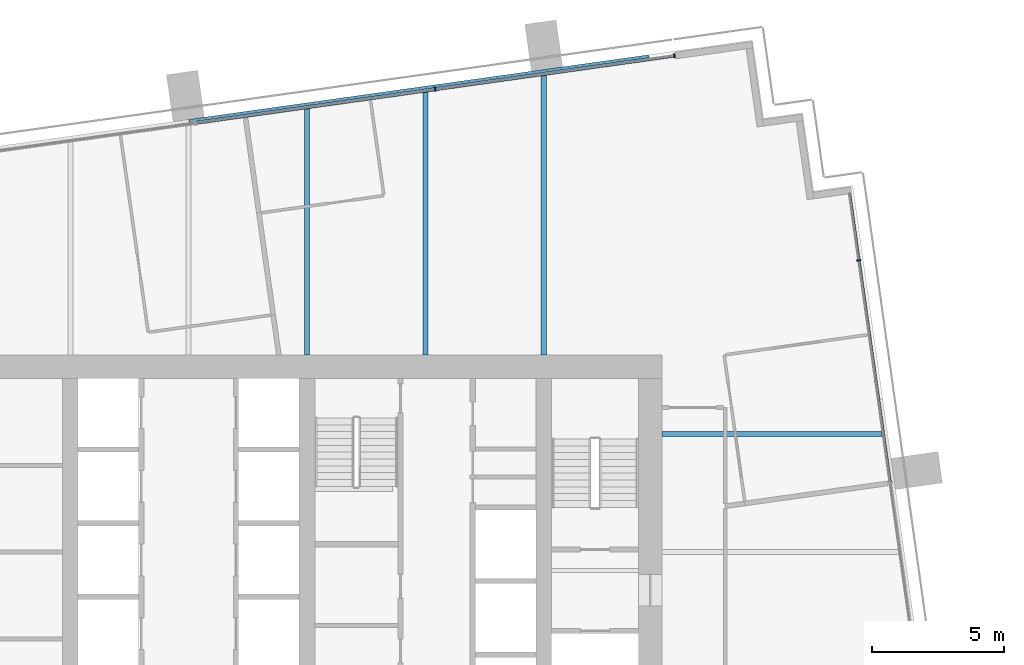
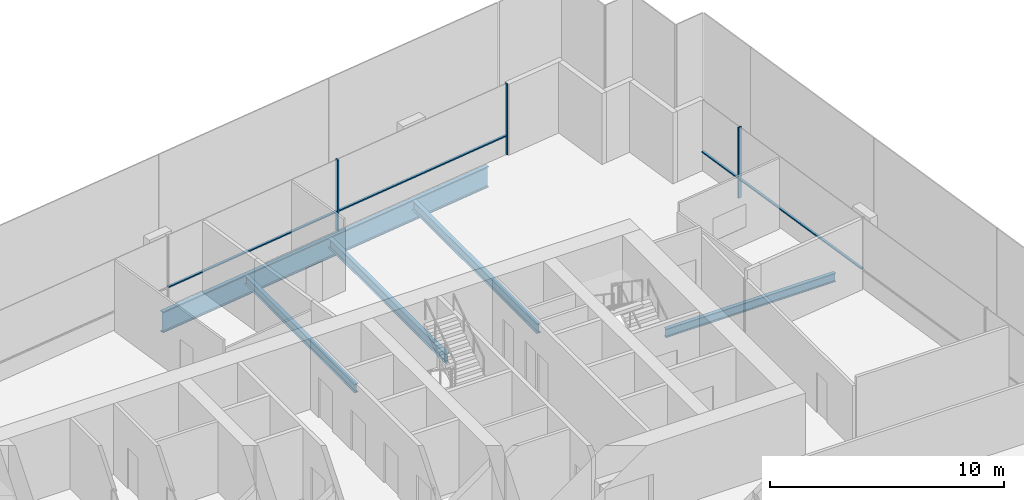
# One storey, part 7 of 17: 7 members, 5 beams, 2 elements without a shape of their own.
"""IFC4 building model written with IfcOpenShell, lengths in metres."""

from ifc_helpers import new_model, si_unit, direction, frame, origin, origin_2d, place, context, subcontext, project, spatial, rectangle, i_section, extrude, material, material_profile, profile_set, type_object, element, aggregate, save


model = new_model("IFC4")

# Units and contexts
model_context = context("Model", 3, precision=1e-05, world=origin(), true_north=direction((0.0, 1.0)))
body_context = subcontext(model_context, "Body", "Model", "MODEL_VIEW")
ifc_project = project(units=[si_unit("LENGTHUNIT", "METRE"), si_unit("AREAUNIT", "SQUARE_METRE"), si_unit("VOLUMEUNIT", "CUBIC_METRE"), si_unit("PLANEANGLEUNIT", "RADIAN"), si_unit("MASSUNIT", "GRAM", prefix="KILO")], contexts=[model_context])

# Site, building, storey
site_placement = place(None, origin())
site = spatial("IfcSite", under=ifc_project, at=site_placement, CompositionType="ELEMENT")
building_placement = place(site_placement, origin())
building = spatial("IfcBuilding", under=site, at=building_placement, Name="Rattan Terrace Tower", CompositionType="ELEMENT")
storey_placement = place(building_placement, frame((0.0, 0.0, 191.89990234375)))
storey = spatial("IfcBuildingStorey", under=building, at=storey_placement, Name="L44", CompositionType="ELEMENT", Elevation=191.89990234375)

# Curtain wall, member
ifc_material_1 = material(Name="Aluminium and glass", Category="aluminium")
curtain_wall_type = type_object("IfcCurtainWallType", Name="Facade Unitised Curtain Wall", PredefinedType="NOTDEFINED", material=ifc_material_1)
curtain_wall_1_placement = place(storey_placement, origin())
curtain_wall_1 = element("IfcCurtainWall", 1, at=curtain_wall_1_placement, inside=storey, type_object=curtain_wall_type, Name="Curtain wall L44-1", PredefinedType="NOTDEFINED")
ifc_material_2 = material(Name="Aluminium", Category="aluminium")
ifc_material_profile_1 = material_profile(ifc_material_2, rectangle(XDim=0.06005859375, YDim=0.159912109375, at=origin_2d()), Name="Aluminium 60x160")
ifc_profile_set_1 = profile_set([ifc_material_profile_1], Name="Aluminium")
member_type_1 = type_object("IfcMemberType", Name="Facade CW Mullion 60x160", PredefinedType="MULLION", material=ifc_profile_set_1)
member_1_placement = place(storey_placement, frame((25.477294921875, 11.092529296875, 0.0), z_axis=(0.0, 0.0, 1.0), x_axis=(-0.139190856006, 0.99026557327, 0.0)))
member_1 = element("IfcMember", 2, at=member_1_placement, type_object=member_type_1, Name="Mullion cwl-L44-001.4", PredefinedType="MULLION", context=body_context, shape_type="SweptSolid", body=[
    extrude(rectangle(XDim=0.06005859375, YDim=0.159912109375, at=origin_2d()), origin(), (0.0, 0.0, 1.0), 3.7001953125),
])

# Curtain wall, members
curtain_wall_2_placement = place(storey_placement, origin())
curtain_wall_2 = element("IfcCurtainWall", 3, at=curtain_wall_2_placement, inside=storey, type_object=curtain_wall_type, Name="Curtain wall L44-2", PredefinedType="NOTDEFINED")
member_2_placement = place(storey_placement, frame((18.467041015625, 18.87255859375, 0.0), z_axis=(0.0, 0.0, 1.0), x_axis=(-0.990269702686, -0.139161474347, 0.0)))
member_2 = element("IfcMember", 4, at=member_2_placement, type_object=member_type_1, Name="Mullion cwl-L44-002.1", PredefinedType="MULLION", context=body_context, shape_type="SweptSolid", body=[
    extrude(rectangle(XDim=0.06005859375, YDim=0.159912109375, at=origin_2d()), origin(), (0.0, 0.0, 1.0), 3.7001953125),
])
member_3_placement = place(storey_placement, frame((9.373291015625, 17.594482421875, 0.0), z_axis=(0.0, 0.0, 1.0), x_axis=(-0.990269702686, -0.139161474347, 0.0)))
member_3 = element("IfcMember", 5, at=member_3_placement, type_object=member_type_1, Name="Mullion cwl-L44-002.2", PredefinedType="MULLION", context=body_context, shape_type="SweptSolid", body=[
    extrude(rectangle(XDim=0.06005859375, YDim=0.159912109375, at=origin_2d()), origin(), (0.0, 0.0, 1.0), 3.7001953125),
])

# Member
ifc_material_3 = material(Name="Aluminium", Category="aluminium")
ifc_material_profile_2 = material_profile(ifc_material_3, rectangle(XDim=0.1201171875, YDim=0.06005859375, at=origin_2d()), Name="Aluminium 120x60")
ifc_profile_set_2 = profile_set([ifc_material_profile_2], Name="Aluminium")
member_type_2 = type_object("IfcMemberType", Name="Facade CW Transom 120x60", PredefinedType="USERDEFINED", material=ifc_profile_set_2)
member_4_placement = place(storey_placement, frame((26.663330078125, 2.655517578125, 1.0), z_axis=(-0.139178607515, 0.99026729483, 0.0), x_axis=(-0.99026729483, -0.139178607515, 0.0)))
member_4 = element("IfcMember", 6, at=member_4_placement, type_object=member_type_2, Name="Transom cwl-L44-001.3", ObjectType="TRANSOM", PredefinedType="USERDEFINED", context=body_context, shape_type="SweptSolid", body=[
    extrude(rectangle(XDim=0.1201171875, YDim=0.06005859375, at=origin_2d()), origin(), (0.0, 0.0, 1.0), 8.489990234375),
])

member_5_placement = place(storey_placement, frame((25.47314453125, 11.122314453125, 1.0), z_axis=(-0.139106713562, 0.990277396613, 0.0), x_axis=(-0.990277396613, -0.139106713562, 0.0)))
member_5 = element("IfcMember", 7, at=member_5_placement, type_object=member_type_2, Name="Transom cwl-L44-001.4", ObjectType="TRANSOM", PredefinedType="USERDEFINED", context=body_context, shape_type="SweptSolid", body=[
    extrude(rectangle(XDim=0.1201171875, YDim=0.06005859375, at=origin_2d()), origin(), (0.0, 0.0, 1.0), 2.525634765625),
])

aggregate(curtain_wall_1, [member_1, member_4, member_5])

member_6_placement = place(storey_placement, frame((18.437255859375, 18.868408203125, 1.0), z_axis=(-0.990266494002, -0.139184305354, 0.0), x_axis=(0.139184305354, -0.990266494002, 0.0)))
member_6 = element("IfcMember", 8, at=member_6_placement, type_object=member_type_2, Name="Transom cwl-L44-002.1", ObjectType="TRANSOM", PredefinedType="USERDEFINED", context=body_context, shape_type="SweptSolid", body=[
    extrude(rectangle(XDim=0.1201171875, YDim=0.06005859375, at=origin_2d()), origin(), (0.0, 0.0, 1.0), 9.123046875),
])

member_7_placement = place(storey_placement, frame((9.343505859375, 17.59033203125, 1.0), z_axis=(-0.990270711765, -0.139154293575, 0.0), x_axis=(0.139154293575, -0.990270711765, 0.0)))
member_7 = element("IfcMember", 9, at=member_7_placement, type_object=member_type_2, Name="Transom cwl-L44-002.2", ObjectType="TRANSOM", PredefinedType="USERDEFINED", context=body_context, shape_type="SweptSolid", body=[
    extrude(rectangle(XDim=0.1201171875, YDim=0.06005859375, at=origin_2d()), origin(), (0.0, 0.0, 1.0), 9.153076171875),
])

aggregate(curtain_wall_2, [member_2, member_3, member_6, member_7])

# Beams
ifc_material_4 = material(Name="Steel S460", Category="steel")
ifc_material_profile_3 = material_profile(ifc_material_4, i_section(OverallWidth=0.179931640625, OverallDepth=1.10009765625, WebThickness=0.01611328125, FlangeThickness=0.050048828125, at=origin_2d()), Name="PG 1100x180-16-50")
ifc_profile_set_3 = profile_set([ifc_material_profile_3], Name="Steel S460")
beam_type_1 = type_object("IfcBeamType", Name="Frame edge girder PG 1100x180-16-50", PredefinedType="SPANDREL", material=ifc_profile_set_3)
beam_1_placement = place(storey_placement, frame((17.4990234375, 18.818115234375, -0.75), z_axis=(-0.990264173921, -0.139200811234, 0.0), x_axis=(0.139200811234, -0.990264173921, 0.0)))
element("IfcBeam", 10, at=beam_1_placement, inside=storey, type_object=beam_type_1, Name="gdr-L44-007", PredefinedType="SPANDREL", context=body_context, shape_type="SweptSolid", body=[
    extrude(i_section(OverallWidth=0.179931640625, OverallDepth=1.10009765625, WebThickness=0.01611328125, FlangeThickness=0.050048828125, at=origin_2d()), origin(), (0.0, 0.0, 1.0), 17.657958984375),
])
ifc_material_5 = material(Name="Steel S355", Category="steel")
ifc_material_profile_4 = material_profile(ifc_material_5, i_section(OverallWidth=0.18994140625, OverallDepth=0.449951171875, WebThickness=0.009521484375, FlangeThickness=0.0146484375, FilletRadius=0.02099609375, at=origin_2d()), Name="IPE 450")
ifc_profile_set_4 = profile_set([ifc_material_profile_4], Name="Steel S355")
beam_type_2 = type_object("IfcBeamType", Name="Frame floor beam IPE 450", PredefinedType="JOIST", material=ifc_profile_set_4)
beam_2_placement = place(storey_placement, frame((18.0, 4.5, -0.4248046875), z_axis=(1.0, 0.0, 0.0), x_axis=(0.0, 1.0, 0.0)))
element("IfcBeam", 11, at=beam_2_placement, inside=storey, type_object=beam_type_2, Name="bm-L44-015", PredefinedType="JOIST", context=body_context, shape_type="SweptSolid", body=[
    extrude(i_section(OverallWidth=0.18994140625, OverallDepth=0.449951171875, WebThickness=0.009521484375, FlangeThickness=0.0146484375, FilletRadius=0.02099609375, at=origin_2d()), origin(), (0.0, 0.0, 1.0), 8.381103515625),
])
beam_3_placement = place(storey_placement, frame((4.5, 7.5, -0.4248046875), z_axis=(0.0, 1.0, 0.0), x_axis=(-1.0, 0.0, 0.0)))
element("IfcBeam", 12, at=beam_3_placement, inside=storey, type_object=beam_type_2, Name="bm-L44-020", PredefinedType="JOIST", context=body_context, shape_type="SweptSolid", body=[
    extrude(i_section(OverallWidth=0.18994140625, OverallDepth=0.449951171875, WebThickness=0.009521484375, FlangeThickness=0.0146484375, FilletRadius=0.02099609375, at=origin_2d()), origin(), (0.0, 0.0, 1.0), 9.385986328125),
])
ifc_material_6 = material(Name="Steel S355", Category="steel")
ifc_material_profile_5 = material_profile(ifc_material_6, i_section(OverallWidth=0.199951171875, OverallDepth=0.5, WebThickness=0.01025390625, FlangeThickness=0.01611328125, FilletRadius=0.02099609375, at=origin_2d()), Name="IPE 500")
ifc_profile_set_5 = profile_set([ifc_material_profile_5], Name="Steel S355")
beam_type_3 = type_object("IfcBeamType", Name="Frame floor beam IPE 500", PredefinedType="JOIST", material=ifc_profile_set_5)
beam_4_placement = place(storey_placement, frame((9.0, 7.5, -0.449951171875), z_axis=(0.0, 1.0, 0.0), x_axis=(-1.0, 0.0, 0.0)))
element("IfcBeam", 13, at=beam_4_placement, inside=storey, type_object=beam_type_3, Name="bm-L44-021", PredefinedType="JOIST", context=body_context, shape_type="SweptSolid", body=[
    extrude(i_section(OverallWidth=0.199951171875, OverallDepth=0.5, WebThickness=0.01025390625, FlangeThickness=0.01611328125, FilletRadius=0.02099609375, at=origin_2d()), origin(), (0.0, 0.0, 1.0), 10.01806640625),
])
beam_5_placement = place(storey_placement, frame((13.5, 7.5, -0.449951171875), z_axis=(0.0, 1.0, 0.0), x_axis=(-1.0, 0.0, 0.0)))
element("IfcBeam", 14, at=beam_5_placement, inside=storey, type_object=beam_type_3, Name="bm-L44-022", PredefinedType="JOIST", context=body_context, shape_type="SweptSolid", body=[
    extrude(i_section(OverallWidth=0.199951171875, OverallDepth=0.5, WebThickness=0.01025390625, FlangeThickness=0.01611328125, FilletRadius=0.02099609375, at=origin_2d()), origin(), (0.0, 0.0, 1.0), 10.65087890625),
])

save(model, "model.ifc")
